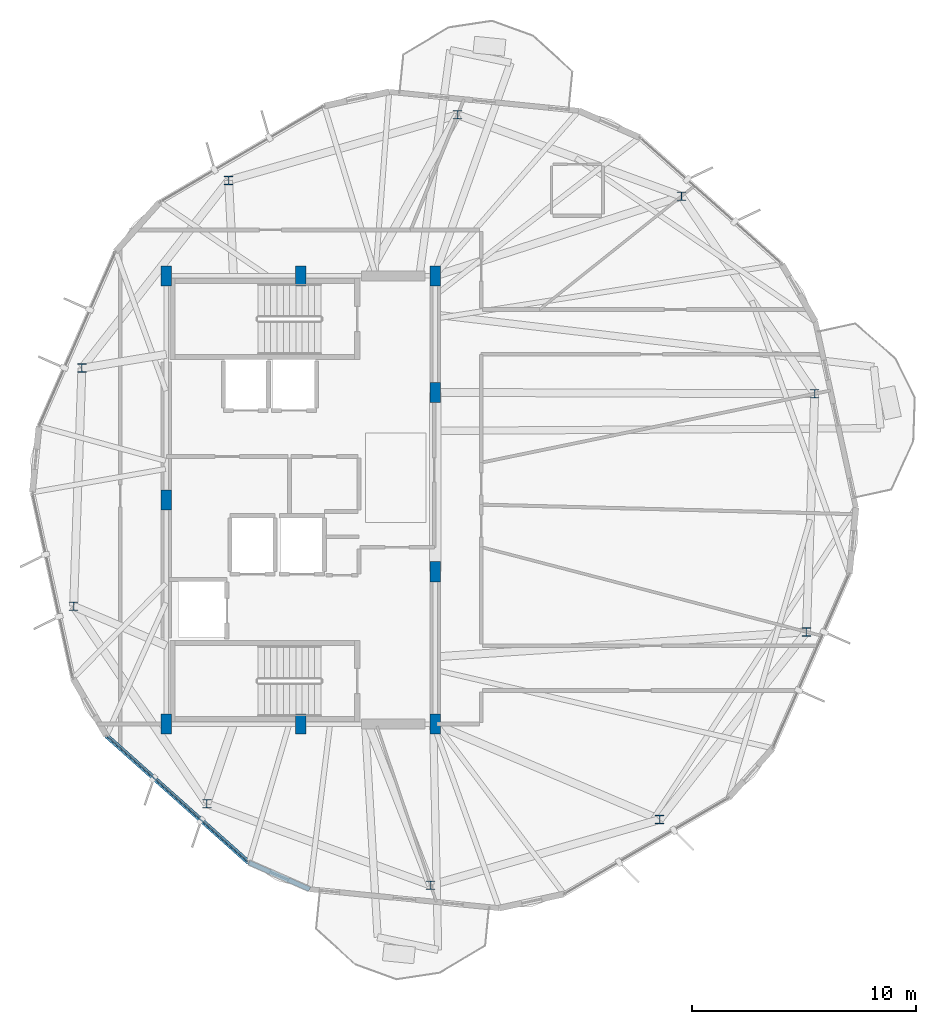
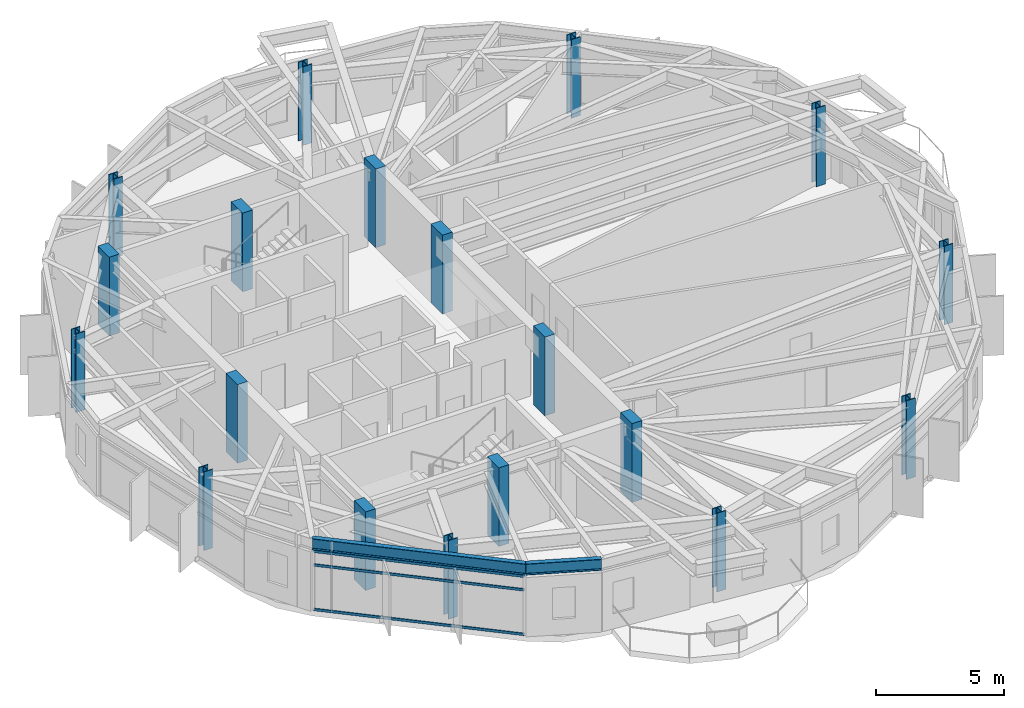
# One storey, part 1 of 25: 19 columns, 3 members, 2 beams, 1 element without a shape of its own.
"""IFC4 building model written with IfcOpenShell, lengths in metres."""

from ifc_helpers import new_model, si_unit, direction, frame, origin, origin_2d, place, context, subcontext, project, spatial, rectangle, hollow_rectangle, i_section, extrude, material, layer, layer_set, material_profile, profile_set, type_object, element, aggregate, save


model = new_model("IFC4")

# Units and contexts
model_context = context("Model", 3, precision=1e-05, world=origin(), true_north=direction((0.0, 1.0)))
body_context = subcontext(model_context, "Body", "Model", "MODEL_VIEW")
ifc_project = project(units=[si_unit("LENGTHUNIT", "METRE"), si_unit("AREAUNIT", "SQUARE_METRE"), si_unit("VOLUMEUNIT", "CUBIC_METRE"), si_unit("PLANEANGLEUNIT", "RADIAN"), si_unit("MASSUNIT", "GRAM", prefix="KILO")], contexts=[model_context])

# Site, building, storey
site_placement = place(None, origin())
site = spatial("IfcSite", under=ifc_project, at=site_placement, CompositionType="ELEMENT")
building_placement = place(site_placement, origin())
building = spatial("IfcBuilding", under=site, at=building_placement, Name="Soratama Intermodal Tower", CompositionType="ELEMENT")
storey_placement = place(building_placement, frame((0.0, 0.0, 276.25)))
storey = spatial("IfcBuildingStorey", under=building, at=storey_placement, Name="L70", CompositionType="ELEMENT", Elevation=276.25)

# Columns
ifc_material_1 = material(Name="Structural steel ASTM A992 Grade 50", Category="steel")
ifc_material_profile_1 = material_profile(ifc_material_1, i_section(OverallWidth=0.40087890625, OverallDepth=0.39892578125, WebThickness=0.02490234375, FlangeThickness=0.03955078125, FilletRadius=0.0380859375, at=origin_2d()), Name="W14X211")
ifc_profile_set_1 = profile_set([ifc_material_profile_1], Name="Structural steel ASTM A992 Grade 50")
column_type_1 = type_object("IfcColumnType", Name="COL-ZE-W14X211", PredefinedType="COLUMN", material=ifc_profile_set_1)
for number, where, z_axis, x_axis, name in (
    (1, (61.53369140625, 29.740966796875, 0.0), (0.0, 0.0, 1.0), (1.0, 0.0, 0.0), "L70 Tower Ring Column R01"),
    (2, (55.58935546875, 38.5537109375, 0.0), (0.0, 0.0, 1.0), (1.0, 0.0, 0.0), "L70 Tower Ring Column R02"),
    (3, (45.600341796875, 42.189453125, 0.0), (0.0, 0.0, 1.0), (1.0, 0.0, 0.0), "L70 Tower Ring Column R03"),
    (4, (35.3818359375, 39.259521484375, 0.0), (0.0, 0.0, 1.0), (1.0, 0.0, 0.0), "L70 Tower Ring Column R04"),
    (5, (28.83740234375, 30.8828125, 0.0), (0.0, 0.0, 1.0), (1.0, 0.0, 0.0), "L70 Tower Ring Column R05"),
    (6, (28.46630859375, 20.259033203125, 0.0), (0.0, 0.0, 1.0), (1.0, 0.0, 0.0), "L70 Tower Ring Column R06"),
    (7, (34.41064453125, 11.4462890625, 0.0), (0.0, 0.0, 1.0), (1.0, 0.0, 0.0), "L70 Tower Ring Column R07"),
    (8, (44.399658203125, 7.810546875, 0.0), (0.0, 0.0, 1.0), (1.0, 0.0, 0.0), "L70 Tower Ring Column R08"),
    (9, (54.6181640625, 10.740478515625, 0.0), (0.0, 0.0, 1.0), (1.0, 0.0, 0.0), "L70 Tower Ring Column R09"),
    (10, (61.16259765625, 19.1171875, 0.0), (0.0, 0.0, 1.0), (1.0, 0.0, 0.0), "L70 Tower Ring Column R10"),
):
    element("IfcColumn", number, at=place(storey_placement, frame(where, z_axis=z_axis, x_axis=x_axis)), inside=storey, type_object=column_type_1, Name=name, PredefinedType="COLUMN", context=body_context, shape_type="SweptSolid", body=[
        extrude(i_section(OverallWidth=0.40087890625, OverallDepth=0.39892578125, WebThickness=0.02490234375, FlangeThickness=0.03955078125, FilletRadius=0.0380859375, at=origin_2d()), origin(), (0.0, 0.0, 1.0), 3.75),
    ])
ifc_material_2 = material(Name="Concrete f'c 56 MPa", Category="concrete")
ifc_material_profile_2 = material_profile(ifc_material_2, rectangle(XDim=0.449951171875, YDim=0.89990234375, at=origin_2d()), Name="RC450X900")
ifc_profile_set_2 = profile_set([ifc_material_profile_2], Name="Concrete f'c 56 MPa")
column_type_2 = type_object("IfcColumnType", Name="PIL-CORE-450X900", PredefinedType="PILASTER", material=ifc_profile_set_2)
for number, where, z_axis, x_axis, name in (
    (11, (32.60009765625, 15.0, 0.0), (0.0, 0.0, 1.0), (1.0, 0.0, 0.0), "L70 Core Pilaster 1"),
    (12, (32.60009765625, 25.0, 0.0), (0.0, 0.0, 1.0), (1.0, 0.0, 0.0), "L70 Core Pilaster 2"),
    (13, (32.60009765625, 35.0, 0.0), (0.0, 0.0, 1.0), (1.0, 0.0, 0.0), "L70 Core Pilaster 3"),
    (14, (38.60009765625, 15.0, 0.0), (0.0, 0.0, 1.0), (1.0, 0.0, 0.0), "L70 Core Pilaster 4"),
    (15, (38.60009765625, 35.0, 0.0), (0.0, 0.0, 1.0), (1.0, 0.0, 0.0), "L70 Core Pilaster 5"),
    (16, (44.60009765625, 15.0, 0.0), (0.0, 0.0, 1.0), (1.0, 0.0, 0.0), "L70 Core Pilaster 6"),
    (17, (44.60009765625, 21.800048828125, 0.0), (0.0, 0.0, 1.0), (1.0, 0.0, 0.0), "L70 Core Pilaster 7"),
    (18, (44.60009765625, 29.800048828125, 0.0), (0.0, 0.0, 1.0), (1.0, 0.0, 0.0), "L70 Core Pilaster 8"),
    (19, (44.60009765625, 35.0, 0.0), (0.0, 0.0, 1.0), (1.0, 0.0, 0.0), "L70 Core Pilaster 9"),
):
    element("IfcColumn", number, at=place(storey_placement, frame(where, z_axis=z_axis, x_axis=x_axis)), inside=storey, type_object=column_type_2, Name=name, PredefinedType="PILASTER", context=body_context, shape_type="SweptSolid", body=[
        extrude(rectangle(XDim=0.449951171875, YDim=0.89990234375, at=origin_2d()), origin(), (0.0, 0.0, 1.0), 3.75),
    ])

# Beams
ifc_material_3 = material(Name="Structural steel ASTM A992 Grade 50", Category="steel")
ifc_material_profile_3 = material_profile(ifc_material_3, i_section(OverallWidth=0.2099609375, OverallDepth=0.537109375, WebThickness=0.010986328125, FlangeThickness=0.017333984375, FilletRadius=0.012939453125, at=origin_2d()), Name="W21X68")
ifc_profile_set_3 = profile_set([ifc_material_profile_3], Name="Structural steel ASTM A992 Grade 50")
beam_type = type_object("IfcBeamType", Name="BM-SPN-W21X68", PredefinedType="SPANDREL", material=ifc_profile_set_3)
beam_1_placement = place(storey_placement, frame((29.93310546875, 14.47705078125, 3.181396484375), z_axis=(0.746637015618, -0.66523166409, 0.0), x_axis=(0.66523166409, 0.746637015618, 0.0)))
element("IfcBeam", 20, at=beam_1_placement, inside=storey, type_object=beam_type, Name="BS-L70-F05", PredefinedType="SPANDREL", context=body_context, shape_type="SweptSolid", body=[
    extrude(i_section(OverallWidth=0.2099609375, OverallDepth=0.537109375, WebThickness=0.010986328125, FlangeThickness=0.017333984375, FilletRadius=0.012939453125, at=origin_2d()), origin(), (0.0, 0.0, 1.0), 8.499267578125),
])
beam_2_placement = place(storey_placement, frame((36.279052734375, 8.822998046875, 3.181396484375), z_axis=(0.915709045895, -0.401841938163, 0.0), x_axis=(0.401841938163, 0.915709045895, 0.0)))
element("IfcBeam", 21, at=beam_2_placement, inside=storey, type_object=beam_type, Name="BS-L70-CRN05", PredefinedType="SPANDREL", context=body_context, shape_type="SweptSolid", body=[
    extrude(i_section(OverallWidth=0.2099609375, OverallDepth=0.537109375, WebThickness=0.010986328125, FlangeThickness=0.017333984375, FilletRadius=0.012939453125, at=origin_2d()), origin(), (0.0, 0.0, 1.0), 2.966064453125),
])

# Curtain wall, members
ifc_material_4 = material(Name="Double-glazed aluminium curtain wall", Category="aluminium")
ifc_layer = layer(ifc_material_4, 0.159912109375)
ifc_layer_set = layer_set([ifc_layer], Name="Double-glazed aluminium curtain wall")
curtain_wall_type = type_object("IfcCurtainWallType", Name="CW-SYS-5", PredefinedType="NOTDEFINED", material=ifc_layer_set)
curtain_wall_placement = place(storey_placement, origin())
curtain_wall = element("IfcCurtainWall", 22, at=curtain_wall_placement, inside=storey, type_object=curtain_wall_type, Name="L70 Faceted Curtain Wall F05", PredefinedType="NOTDEFINED")
ifc_material_5 = material(Name="Anodised aluminium AA 6063-T6", Category="aluminium")
ifc_material_profile_4 = material_profile(ifc_material_5, hollow_rectangle(XDim=0.06005859375, YDim=0.1298828125, WallThickness=0.0048828125, InnerFilletRadius=0.0048828125, OuterFilletRadius=0.010009765625, at=origin_2d()), Name="CWT130X60X5")
ifc_profile_set_4 = profile_set([ifc_material_profile_4], Name="Anodised aluminium AA 6063-T6")
member_type = type_object("IfcMemberType", Name="TT-CWT-2", PredefinedType="USERDEFINED", material=ifc_profile_set_4)
member_1_placement = place(storey_placement, frame((29.977294921875, 14.4375, 0.030029296875), z_axis=(0.746634059548, -0.665234981884, 0.0), x_axis=(0.665234981884, 0.746634059548, 0.0)))
member_1 = element("IfcMember", 23, at=member_1_placement, type_object=member_type, Name="CW-5 transom 1.1", ObjectType="TRANSOM", PredefinedType="USERDEFINED", context=body_context, shape_type="SweptSolid", body=[
    extrude(hollow_rectangle(XDim=0.06005859375, YDim=0.1298828125, WallThickness=0.0048828125, InnerFilletRadius=0.0048828125, OuterFilletRadius=0.010009765625, at=origin_2d()), origin(), (0.0, 0.0, 1.0), 8.380126953125),
])
member_2_placement = place(storey_placement, frame((29.977294921875, 14.4375, 2.14990234375), z_axis=(0.746634059548, -0.665234981884, 0.0), x_axis=(0.665234981884, 0.746634059548, 0.0)))
member_2 = element("IfcMember", 24, at=member_2_placement, type_object=member_type, Name="CW-5 transom 1.2", ObjectType="TRANSOM", PredefinedType="USERDEFINED", context=body_context, shape_type="SweptSolid", body=[
    extrude(hollow_rectangle(XDim=0.06005859375, YDim=0.1298828125, WallThickness=0.0048828125, InnerFilletRadius=0.0048828125, OuterFilletRadius=0.010009765625, at=origin_2d()), origin(), (0.0, 0.0, 1.0), 8.380126953125),
])
member_3_placement = place(storey_placement, frame((29.977294921875, 14.4375, 2.799072265625), z_axis=(0.746634059548, -0.665234981884, 0.0), x_axis=(0.665234981884, 0.746634059548, 0.0)))
member_3 = element("IfcMember", 25, at=member_3_placement, type_object=member_type, Name="CW-5 transom 1.3", ObjectType="TRANSOM", PredefinedType="USERDEFINED", context=body_context, shape_type="SweptSolid", body=[
    extrude(hollow_rectangle(XDim=0.06005859375, YDim=0.1298828125, WallThickness=0.0048828125, InnerFilletRadius=0.0048828125, OuterFilletRadius=0.010009765625, at=origin_2d()), origin(), (0.0, 0.0, 1.0), 8.380126953125),
])
aggregate(curtain_wall, [member_1, member_2, member_3])

save(model, "model.ifc")
